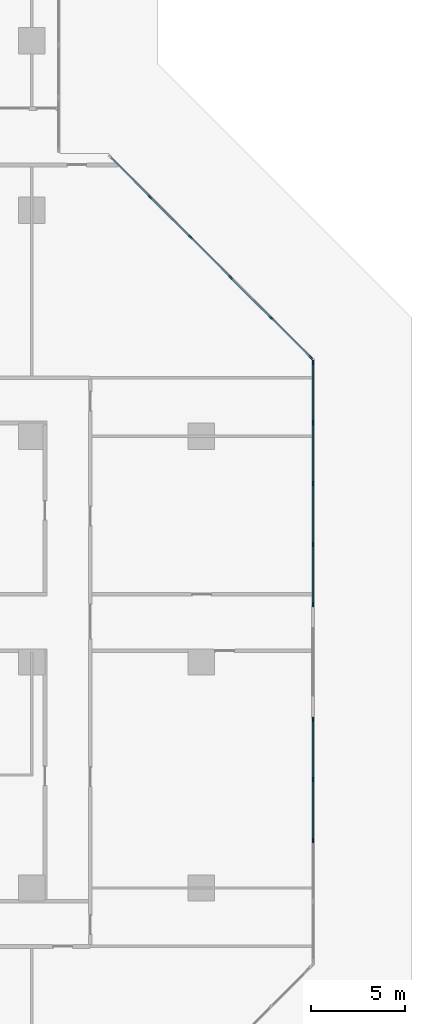
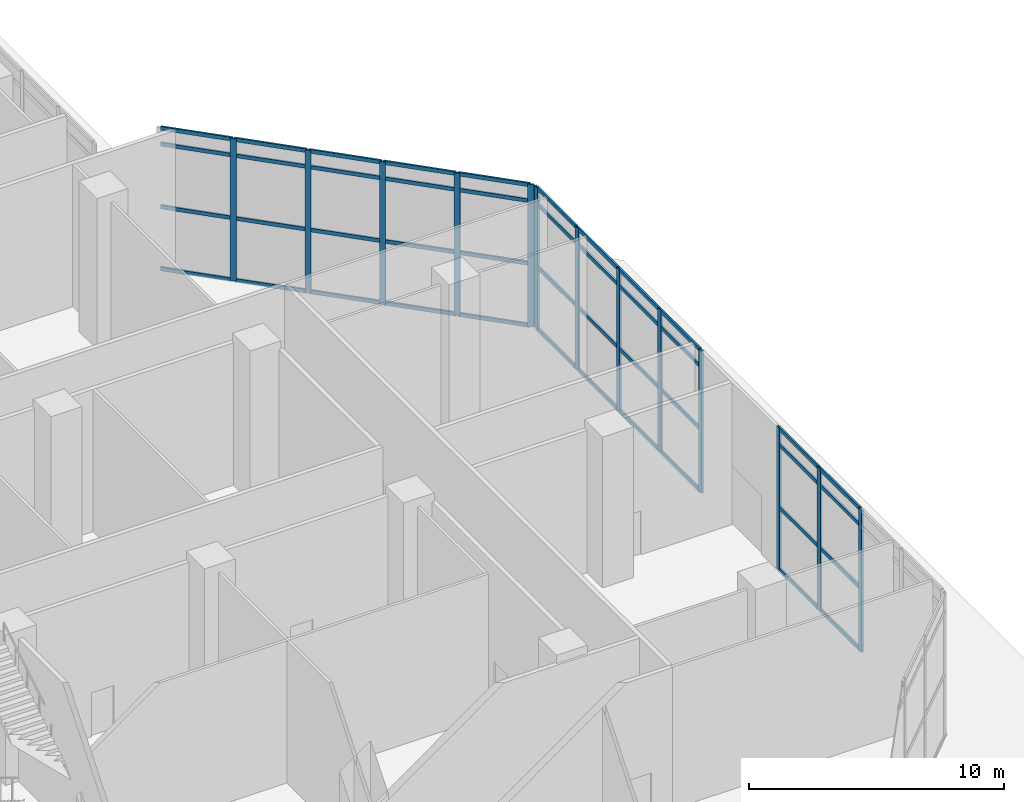
# One storey, part 7 of 34: 57 members, 3 elements without a shape of their own.
"""IFC4 building model written with IfcOpenShell, lengths in metres."""

from ifc_helpers import new_model, si_unit, direction, frame, origin, origin_2d, place, context, subcontext, project, spatial, rectangle, extrude, material, layer, layer_set, material_profile, profile_set, type_object, element, aggregate, save


model = new_model("IFC4")

# Units and contexts
model_context = context("Model", 3, precision=1e-05, world=origin(), true_north=direction((0.0, 1.0)))
body_context = subcontext(model_context, "Body", "Model", "MODEL_VIEW")
ifc_project = project(units=[si_unit("LENGTHUNIT", "METRE"), si_unit("AREAUNIT", "SQUARE_METRE"), si_unit("VOLUMEUNIT", "CUBIC_METRE"), si_unit("PLANEANGLEUNIT", "RADIAN"), si_unit("MASSUNIT", "GRAM", prefix="KILO")], contexts=[model_context])

# Site, building, storey
site_placement = place(None, origin())
site = spatial("IfcSite", under=ifc_project, at=site_placement, CompositionType="ELEMENT")
building_placement = place(site_placement, origin())
building = spatial("IfcBuilding", under=site, at=building_placement, Name="Chenar Terraces", CompositionType="ELEMENT")
storey_placement = place(building_placement, origin())
storey = spatial("IfcBuildingStorey", under=building, at=storey_placement, Name="L00", CompositionType="ELEMENT", Elevation=0.0)

# Curtain wall, members
ifc_material_1 = material(Name="Aluminium framed glazing", Category="aluminium")
ifc_layer = layer(ifc_material_1, 0.14990234375)
ifc_layer_set = layer_set([ifc_layer], Name="Aluminium framed glazing")
curtain_wall_type = type_object("IfcCurtainWallType", Name="Lobby curtain wall", PredefinedType="NOTDEFINED", material=ifc_layer_set)
placement = place(storey_placement, origin())
curtain_wall_1 = element("IfcCurtainWall", 1, at=placement, inside=storey, type_object=curtain_wall_type, Name="Lobby curtain wall", PredefinedType="NOTDEFINED")
ifc_material_2 = material(Name="Aluminium", Category="aluminium")
ifc_material_profile_1 = material_profile(ifc_material_2, rectangle(XDim=0.080078125, YDim=0.25, at=origin_2d()), Name="Lobby glazing mullion 80 x 250")
ifc_profile_set_1 = profile_set([ifc_material_profile_1], Name="Aluminium")
member_type_1 = type_object("IfcMemberType", Name="Lobby glazing mullion 80 x 250", PredefinedType="MULLION", material=ifc_profile_set_1)
member_1_placement = place(storey_placement, frame((86.925048828125, 2.522705078125, 0.0), z_axis=(0.0, 0.0, 1.0), x_axis=(-1.0, 0.0, 0.0)))
member_1 = element("IfcMember", 2, at=member_1_placement, type_object=member_type_1, Name="CW6-08a0 mullion 3", PredefinedType="MULLION", context=body_context, shape_type="SweptSolid", body=[
    extrude(rectangle(XDim=0.080078125, YDim=0.25, at=origin_2d()), origin(), (0.0, 0.0, 1.0), 6.800048828125),
])
member_2_placement = place(storey_placement, frame((86.925048828125, 5.755126953125, 0.0), z_axis=(0.0, 0.0, 1.0), x_axis=(-1.0, 0.0, 0.0)))
member_2 = element("IfcMember", 3, at=member_2_placement, type_object=member_type_1, Name="CW6-08a0 mullion 4", PredefinedType="MULLION", context=body_context, shape_type="SweptSolid", body=[
    extrude(rectangle(XDim=0.080078125, YDim=0.25, at=origin_2d()), origin(), (0.0, 0.0, 1.0), 6.800048828125),
])
member_3_placement = place(storey_placement, frame((86.925048828125, 8.947509765625, 0.0), z_axis=(0.0, 0.0, 1.0), x_axis=(-1.0, 0.0, 0.0)))
member_3 = element("IfcMember", 4, at=member_3_placement, type_object=member_type_1, Name="CW6-08a0 mullion 5", PredefinedType="MULLION", context=body_context, shape_type="SweptSolid", body=[
    extrude(rectangle(XDim=0.080078125, YDim=0.25, at=origin_2d()), origin(), (0.0, 0.0, 1.0), 6.800048828125),
])

curtain_wall_2 = element("IfcCurtainWall", 5, at=placement, inside=storey, type_object=curtain_wall_type, Name="Lobby curtain wall", PredefinedType="NOTDEFINED")
member_4_placement = place(storey_placement, frame((86.925048828125, 15.052490234375, 0.0), z_axis=(0.0, 0.0, 1.0), x_axis=(-1.0, 0.0, 0.0)))
member_4 = element("IfcMember", 6, at=member_4_placement, type_object=member_type_1, Name="CW6-08b0 mullion 1", PredefinedType="MULLION", context=body_context, shape_type="SweptSolid", body=[
    extrude(rectangle(XDim=0.080078125, YDim=0.25, at=origin_2d()), origin(), (0.0, 0.0, 1.0), 6.800048828125),
])
member_5_placement = place(storey_placement, frame((86.925048828125, 18.244873046875, 0.0), z_axis=(0.0, 0.0, 1.0), x_axis=(-1.0, 0.0, 0.0)))
member_5 = element("IfcMember", 7, at=member_5_placement, type_object=member_type_1, Name="CW6-08b0 mullion 2", PredefinedType="MULLION", context=body_context, shape_type="SweptSolid", body=[
    extrude(rectangle(XDim=0.080078125, YDim=0.25, at=origin_2d()), origin(), (0.0, 0.0, 1.0), 6.800048828125),
])
member_6_placement = place(storey_placement, frame((86.925048828125, 21.477294921875, 0.0), z_axis=(0.0, 0.0, 1.0), x_axis=(-1.0, 0.0, 0.0)))
member_6 = element("IfcMember", 8, at=member_6_placement, type_object=member_type_1, Name="CW6-08b0 mullion 3", PredefinedType="MULLION", context=body_context, shape_type="SweptSolid", body=[
    extrude(rectangle(XDim=0.080078125, YDim=0.25, at=origin_2d()), origin(), (0.0, 0.0, 1.0), 6.800048828125),
])
member_7_placement = place(storey_placement, frame((86.925048828125, 24.70947265625, 0.0), z_axis=(0.0, 0.0, 1.0), x_axis=(-1.0, 0.0, 0.0)))
member_7 = element("IfcMember", 9, at=member_7_placement, type_object=member_type_1, Name="CW6-08b0 mullion 4", PredefinedType="MULLION", context=body_context, shape_type="SweptSolid", body=[
    extrude(rectangle(XDim=0.080078125, YDim=0.25, at=origin_2d()), origin(), (0.0, 0.0, 1.0), 6.800048828125),
])
member_8_placement = place(storey_placement, frame((86.925048828125, 27.90185546875, 0.0), z_axis=(0.0, 0.0, 1.0), x_axis=(-1.0, 0.0, 0.0)))
member_8 = element("IfcMember", 10, at=member_8_placement, type_object=member_type_1, Name="CW6-08b0 mullion 5", PredefinedType="MULLION", context=body_context, shape_type="SweptSolid", body=[
    extrude(rectangle(XDim=0.080078125, YDim=0.25, at=origin_2d()), origin(), (0.0, 0.0, 1.0), 6.800048828125),
])

curtain_wall_3 = element("IfcCurtainWall", 11, at=placement, inside=storey, type_object=curtain_wall_type, Name="Lobby curtain wall", PredefinedType="NOTDEFINED")
member_9_placement = place(storey_placement, frame((86.8125, 28.173095703125, 0.0), z_axis=(0.0, 0.0, 1.0), x_axis=(-0.707106781187, -0.707106781187, 0.0)))
member_9 = element("IfcMember", 12, at=member_9_placement, type_object=member_type_1, Name="CW6-090 mullion 1", PredefinedType="MULLION", context=body_context, shape_type="SweptSolid", body=[
    extrude(rectangle(XDim=0.080078125, YDim=0.25, at=origin_2d()), origin(), (0.0, 0.0, 1.0), 6.800048828125),
])
member_10_placement = place(storey_placement, frame((84.70166015625, 30.2841796875, 0.0), z_axis=(0.0, 0.0, 1.0), x_axis=(-0.707106781187, -0.707106781187, 0.0)))
member_10 = element("IfcMember", 13, at=member_10_placement, type_object=member_type_1, Name="CW6-090 mullion 2", PredefinedType="MULLION", context=body_context, shape_type="SweptSolid", body=[
    extrude(rectangle(XDim=0.080078125, YDim=0.25, at=origin_2d()), origin(), (0.0, 0.0, 1.0), 6.800048828125),
])
member_11_placement = place(storey_placement, frame((82.5625, 32.42333984375, 0.0), z_axis=(0.0, 0.0, 1.0), x_axis=(-0.707106781187, -0.707106781187, 0.0)))
member_11 = element("IfcMember", 14, at=member_11_placement, type_object=member_type_1, Name="CW6-090 mullion 3", PredefinedType="MULLION", context=body_context, shape_type="SweptSolid", body=[
    extrude(rectangle(XDim=0.080078125, YDim=0.25, at=origin_2d()), origin(), (0.0, 0.0, 1.0), 6.800048828125),
])
member_12_placement = place(storey_placement, frame((80.42333984375, 34.5625, 0.0), z_axis=(0.0, 0.0, 1.0), x_axis=(-0.707106781187, -0.707106781187, 0.0)))
member_12 = element("IfcMember", 15, at=member_12_placement, type_object=member_type_1, Name="CW6-090 mullion 4", PredefinedType="MULLION", context=body_context, shape_type="SweptSolid", body=[
    extrude(rectangle(XDim=0.080078125, YDim=0.25, at=origin_2d()), origin(), (0.0, 0.0, 1.0), 6.800048828125),
])
member_13_placement = place(storey_placement, frame((78.2841796875, 36.70166015625, 0.0), z_axis=(0.0, 0.0, 1.0), x_axis=(-0.707106781187, -0.707106781187, 0.0)))
member_13 = element("IfcMember", 16, at=member_13_placement, type_object=member_type_1, Name="CW6-090 mullion 5", PredefinedType="MULLION", context=body_context, shape_type="SweptSolid", body=[
    extrude(rectangle(XDim=0.080078125, YDim=0.25, at=origin_2d()), origin(), (0.0, 0.0, 1.0), 6.800048828125),
])

# Member
ifc_material_3 = material(Name="Aluminium", Category="aluminium")
ifc_material_profile_2 = material_profile(ifc_material_3, rectangle(XDim=0.080078125, YDim=0.179931640625, at=origin_2d()), Name="Lobby glazing transom 80 x 180")
ifc_profile_set_2 = profile_set([ifc_material_profile_2], Name="Aluminium")
member_type_2 = type_object("IfcMemberType", Name="Lobby glazing transom 80 x 180", PredefinedType="USERDEFINED", material=ifc_profile_set_2)
member_14_placement = place(storey_placement, frame((86.925048828125, 2.562744140625, 0.0400390625), z_axis=(0.0, 1.0, 0.0), x_axis=(-1.0, 0.0, 0.0)))
member_14 = element("IfcMember", 17, at=member_14_placement, type_object=member_type_2, Name="CW6-08a0 transom 3.1", ObjectType="TRANSOM", PredefinedType="USERDEFINED", context=body_context, shape_type="SweptSolid", body=[
    extrude(rectangle(XDim=0.080078125, YDim=0.179931640625, at=origin_2d()), origin(), (0.0, 0.0, 1.0), 3.15234375),
])

member_15_placement = place(storey_placement, frame((86.925048828125, 2.562744140625, 3.0), z_axis=(0.0, 1.0, 0.0), x_axis=(-1.0, 0.0, 0.0)))
member_15 = element("IfcMember", 18, at=member_15_placement, type_object=member_type_2, Name="CW6-08a0 transom 3.2", ObjectType="TRANSOM", PredefinedType="USERDEFINED", context=body_context, shape_type="SweptSolid", body=[
    extrude(rectangle(XDim=0.080078125, YDim=0.179931640625, at=origin_2d()), origin(), (0.0, 0.0, 1.0), 3.15234375),
])

member_16_placement = place(storey_placement, frame((86.925048828125, 2.562744140625, 6.0), z_axis=(0.0, 1.0, 0.0), x_axis=(-1.0, 0.0, 0.0)))
member_16 = element("IfcMember", 19, at=member_16_placement, type_object=member_type_2, Name="CW6-08a0 transom 3.3", ObjectType="TRANSOM", PredefinedType="USERDEFINED", context=body_context, shape_type="SweptSolid", body=[
    extrude(rectangle(XDim=0.080078125, YDim=0.179931640625, at=origin_2d()), origin(), (0.0, 0.0, 1.0), 3.15234375),
])

member_17_placement = place(storey_placement, frame((86.925048828125, 2.562744140625, 6.760009765625), z_axis=(0.0, 1.0, 0.0), x_axis=(-1.0, 0.0, 0.0)))
member_17 = element("IfcMember", 20, at=member_17_placement, type_object=member_type_2, Name="CW6-08a0 transom 3.4", ObjectType="TRANSOM", PredefinedType="USERDEFINED", context=body_context, shape_type="SweptSolid", body=[
    extrude(rectangle(XDim=0.080078125, YDim=0.179931640625, at=origin_2d()), origin(), (0.0, 0.0, 1.0), 3.15234375),
])

member_18_placement = place(storey_placement, frame((86.925048828125, 5.795166015625, 0.0400390625), z_axis=(0.0, 1.0, 0.0), x_axis=(-1.0, 0.0, 0.0)))
member_18 = element("IfcMember", 21, at=member_18_placement, type_object=member_type_2, Name="CW6-08a0 transom 4.1", ObjectType="TRANSOM", PredefinedType="USERDEFINED", context=body_context, shape_type="SweptSolid", body=[
    extrude(rectangle(XDim=0.080078125, YDim=0.179931640625, at=origin_2d()), origin(), (0.0, 0.0, 1.0), 3.1123046875),
])

member_19_placement = place(storey_placement, frame((86.925048828125, 5.795166015625, 3.0), z_axis=(0.0, 1.0, 0.0), x_axis=(-1.0, 0.0, 0.0)))
member_19 = element("IfcMember", 22, at=member_19_placement, type_object=member_type_2, Name="CW6-08a0 transom 4.2", ObjectType="TRANSOM", PredefinedType="USERDEFINED", context=body_context, shape_type="SweptSolid", body=[
    extrude(rectangle(XDim=0.080078125, YDim=0.179931640625, at=origin_2d()), origin(), (0.0, 0.0, 1.0), 3.1123046875),
])

member_20_placement = place(storey_placement, frame((86.925048828125, 5.795166015625, 6.0), z_axis=(0.0, 1.0, 0.0), x_axis=(-1.0, 0.0, 0.0)))
member_20 = element("IfcMember", 23, at=member_20_placement, type_object=member_type_2, Name="CW6-08a0 transom 4.3", ObjectType="TRANSOM", PredefinedType="USERDEFINED", context=body_context, shape_type="SweptSolid", body=[
    extrude(rectangle(XDim=0.080078125, YDim=0.179931640625, at=origin_2d()), origin(), (0.0, 0.0, 1.0), 3.1123046875),
])

member_21_placement = place(storey_placement, frame((86.925048828125, 5.795166015625, 6.760009765625), z_axis=(0.0, 1.0, 0.0), x_axis=(-1.0, 0.0, 0.0)))
member_21 = element("IfcMember", 24, at=member_21_placement, type_object=member_type_2, Name="CW6-08a0 transom 4.4", ObjectType="TRANSOM", PredefinedType="USERDEFINED", context=body_context, shape_type="SweptSolid", body=[
    extrude(rectangle(XDim=0.080078125, YDim=0.179931640625, at=origin_2d()), origin(), (0.0, 0.0, 1.0), 3.1123046875),
])

aggregate(curtain_wall_1, [member_1, member_2, member_3, member_14, member_15, member_16, member_17, member_18, member_19, member_20, member_21])

member_22_placement = place(storey_placement, frame((86.925048828125, 15.092529296875, 0.0400390625), z_axis=(0.0, 1.0, 0.0), x_axis=(-1.0, 0.0, 0.0)))
member_22 = element("IfcMember", 25, at=member_22_placement, type_object=member_type_2, Name="CW6-08b0 transom 1.1", ObjectType="TRANSOM", PredefinedType="USERDEFINED", context=body_context, shape_type="SweptSolid", body=[
    extrude(rectangle(XDim=0.080078125, YDim=0.179931640625, at=origin_2d()), origin(), (0.0, 0.0, 1.0), 3.1123046875),
])

member_23_placement = place(storey_placement, frame((86.925048828125, 15.092529296875, 3.0), z_axis=(0.0, 1.0, 0.0), x_axis=(-1.0, 0.0, 0.0)))
member_23 = element("IfcMember", 26, at=member_23_placement, type_object=member_type_2, Name="CW6-08b0 transom 1.2", ObjectType="TRANSOM", PredefinedType="USERDEFINED", context=body_context, shape_type="SweptSolid", body=[
    extrude(rectangle(XDim=0.080078125, YDim=0.179931640625, at=origin_2d()), origin(), (0.0, 0.0, 1.0), 3.1123046875),
])

member_24_placement = place(storey_placement, frame((86.925048828125, 15.092529296875, 6.0), z_axis=(0.0, 1.0, 0.0), x_axis=(-1.0, 0.0, 0.0)))
member_24 = element("IfcMember", 27, at=member_24_placement, type_object=member_type_2, Name="CW6-08b0 transom 1.3", ObjectType="TRANSOM", PredefinedType="USERDEFINED", context=body_context, shape_type="SweptSolid", body=[
    extrude(rectangle(XDim=0.080078125, YDim=0.179931640625, at=origin_2d()), origin(), (0.0, 0.0, 1.0), 3.1123046875),
])

member_25_placement = place(storey_placement, frame((86.925048828125, 15.092529296875, 6.760009765625), z_axis=(0.0, 1.0, 0.0), x_axis=(-1.0, 0.0, 0.0)))
member_25 = element("IfcMember", 28, at=member_25_placement, type_object=member_type_2, Name="CW6-08b0 transom 1.4", ObjectType="TRANSOM", PredefinedType="USERDEFINED", context=body_context, shape_type="SweptSolid", body=[
    extrude(rectangle(XDim=0.080078125, YDim=0.179931640625, at=origin_2d()), origin(), (0.0, 0.0, 1.0), 3.1123046875),
])

member_26_placement = place(storey_placement, frame((86.925048828125, 18.284912109375, 0.0400390625), z_axis=(0.0, 1.0, 0.0), x_axis=(-1.0, 0.0, 0.0)))
member_26 = element("IfcMember", 29, at=member_26_placement, type_object=member_type_2, Name="CW6-08b0 transom 2.1", ObjectType="TRANSOM", PredefinedType="USERDEFINED", context=body_context, shape_type="SweptSolid", body=[
    extrude(rectangle(XDim=0.080078125, YDim=0.179931640625, at=origin_2d()), origin(), (0.0, 0.0, 1.0), 3.15234375),
])

member_27_placement = place(storey_placement, frame((86.925048828125, 18.284912109375, 3.0), z_axis=(0.0, 1.0, 0.0), x_axis=(-1.0, 0.0, 0.0)))
member_27 = element("IfcMember", 30, at=member_27_placement, type_object=member_type_2, Name="CW6-08b0 transom 2.2", ObjectType="TRANSOM", PredefinedType="USERDEFINED", context=body_context, shape_type="SweptSolid", body=[
    extrude(rectangle(XDim=0.080078125, YDim=0.179931640625, at=origin_2d()), origin(), (0.0, 0.0, 1.0), 3.15234375),
])

member_28_placement = place(storey_placement, frame((86.925048828125, 18.284912109375, 6.0), z_axis=(0.0, 1.0, 0.0), x_axis=(-1.0, 0.0, 0.0)))
member_28 = element("IfcMember", 31, at=member_28_placement, type_object=member_type_2, Name="CW6-08b0 transom 2.3", ObjectType="TRANSOM", PredefinedType="USERDEFINED", context=body_context, shape_type="SweptSolid", body=[
    extrude(rectangle(XDim=0.080078125, YDim=0.179931640625, at=origin_2d()), origin(), (0.0, 0.0, 1.0), 3.15234375),
])

member_29_placement = place(storey_placement, frame((86.925048828125, 18.284912109375, 6.760009765625), z_axis=(0.0, 1.0, 0.0), x_axis=(-1.0, 0.0, 0.0)))
member_29 = element("IfcMember", 32, at=member_29_placement, type_object=member_type_2, Name="CW6-08b0 transom 2.4", ObjectType="TRANSOM", PredefinedType="USERDEFINED", context=body_context, shape_type="SweptSolid", body=[
    extrude(rectangle(XDim=0.080078125, YDim=0.179931640625, at=origin_2d()), origin(), (0.0, 0.0, 1.0), 3.15234375),
])

member_30_placement = place(storey_placement, frame((86.925048828125, 21.51708984375, 0.0400390625), z_axis=(0.0, 1.0, 0.0), x_axis=(-1.0, 0.0, 0.0)))
member_30 = element("IfcMember", 33, at=member_30_placement, type_object=member_type_2, Name="CW6-08b0 transom 3.1", ObjectType="TRANSOM", PredefinedType="USERDEFINED", context=body_context, shape_type="SweptSolid", body=[
    extrude(rectangle(XDim=0.080078125, YDim=0.179931640625, at=origin_2d()), origin(), (0.0, 0.0, 1.0), 3.15234375),
])

member_31_placement = place(storey_placement, frame((86.925048828125, 21.51708984375, 3.0), z_axis=(0.0, 1.0, 0.0), x_axis=(-1.0, 0.0, 0.0)))
member_31 = element("IfcMember", 34, at=member_31_placement, type_object=member_type_2, Name="CW6-08b0 transom 3.2", ObjectType="TRANSOM", PredefinedType="USERDEFINED", context=body_context, shape_type="SweptSolid", body=[
    extrude(rectangle(XDim=0.080078125, YDim=0.179931640625, at=origin_2d()), origin(), (0.0, 0.0, 1.0), 3.15234375),
])

member_32_placement = place(storey_placement, frame((86.925048828125, 21.51708984375, 6.0), z_axis=(0.0, 1.0, 0.0), x_axis=(-1.0, 0.0, 0.0)))
member_32 = element("IfcMember", 35, at=member_32_placement, type_object=member_type_2, Name="CW6-08b0 transom 3.3", ObjectType="TRANSOM", PredefinedType="USERDEFINED", context=body_context, shape_type="SweptSolid", body=[
    extrude(rectangle(XDim=0.080078125, YDim=0.179931640625, at=origin_2d()), origin(), (0.0, 0.0, 1.0), 3.15234375),
])

member_33_placement = place(storey_placement, frame((86.925048828125, 21.51708984375, 6.760009765625), z_axis=(0.0, 1.0, 0.0), x_axis=(-1.0, 0.0, 0.0)))
member_33 = element("IfcMember", 36, at=member_33_placement, type_object=member_type_2, Name="CW6-08b0 transom 3.4", ObjectType="TRANSOM", PredefinedType="USERDEFINED", context=body_context, shape_type="SweptSolid", body=[
    extrude(rectangle(XDim=0.080078125, YDim=0.179931640625, at=origin_2d()), origin(), (0.0, 0.0, 1.0), 3.15234375),
])

member_34_placement = place(storey_placement, frame((86.925048828125, 24.74951171875, 0.0400390625), z_axis=(0.0, 1.0, 0.0), x_axis=(-1.0, 0.0, 0.0)))
member_34 = element("IfcMember", 37, at=member_34_placement, type_object=member_type_2, Name="CW6-08b0 transom 4.1", ObjectType="TRANSOM", PredefinedType="USERDEFINED", context=body_context, shape_type="SweptSolid", body=[
    extrude(rectangle(XDim=0.080078125, YDim=0.179931640625, at=origin_2d()), origin(), (0.0, 0.0, 1.0), 3.1123046875),
])

member_35_placement = place(storey_placement, frame((86.925048828125, 24.74951171875, 3.0), z_axis=(0.0, 1.0, 0.0), x_axis=(-1.0, 0.0, 0.0)))
member_35 = element("IfcMember", 38, at=member_35_placement, type_object=member_type_2, Name="CW6-08b0 transom 4.2", ObjectType="TRANSOM", PredefinedType="USERDEFINED", context=body_context, shape_type="SweptSolid", body=[
    extrude(rectangle(XDim=0.080078125, YDim=0.179931640625, at=origin_2d()), origin(), (0.0, 0.0, 1.0), 3.1123046875),
])

member_36_placement = place(storey_placement, frame((86.925048828125, 24.74951171875, 6.0), z_axis=(0.0, 1.0, 0.0), x_axis=(-1.0, 0.0, 0.0)))
member_36 = element("IfcMember", 39, at=member_36_placement, type_object=member_type_2, Name="CW6-08b0 transom 4.3", ObjectType="TRANSOM", PredefinedType="USERDEFINED", context=body_context, shape_type="SweptSolid", body=[
    extrude(rectangle(XDim=0.080078125, YDim=0.179931640625, at=origin_2d()), origin(), (0.0, 0.0, 1.0), 3.1123046875),
])

member_37_placement = place(storey_placement, frame((86.925048828125, 24.74951171875, 6.760009765625), z_axis=(0.0, 1.0, 0.0), x_axis=(-1.0, 0.0, 0.0)))
member_37 = element("IfcMember", 40, at=member_37_placement, type_object=member_type_2, Name="CW6-08b0 transom 4.4", ObjectType="TRANSOM", PredefinedType="USERDEFINED", context=body_context, shape_type="SweptSolid", body=[
    extrude(rectangle(XDim=0.080078125, YDim=0.179931640625, at=origin_2d()), origin(), (0.0, 0.0, 1.0), 3.1123046875),
])

aggregate(curtain_wall_2, [member_4, member_5, member_6, member_7, member_8, member_22, member_23, member_24, member_25, member_26, member_27, member_28, member_29, member_30, member_31, member_32, member_33, member_34, member_35, member_36, member_37])

member_38_placement = place(storey_placement, frame((86.784423828125, 28.201416015625, 0.0400390625), z_axis=(-0.707106781187, 0.707106781187, 0.0), x_axis=(-0.707106781187, -0.707106781187, 0.0)))
member_38 = element("IfcMember", 41, at=member_38_placement, type_object=member_type_2, Name="CW6-090 transom 1.1", ObjectType="TRANSOM", PredefinedType="USERDEFINED", context=body_context, shape_type="SweptSolid", body=[
    extrude(rectangle(XDim=0.080078125, YDim=0.179931640625, at=origin_2d()), origin(), (0.0, 0.0, 1.0), 2.905517578125),
])

member_39_placement = place(storey_placement, frame((86.784423828125, 28.201416015625, 3.0), z_axis=(-0.707106781187, 0.707106781187, 0.0), x_axis=(-0.707106781187, -0.707106781187, 0.0)))
member_39 = element("IfcMember", 42, at=member_39_placement, type_object=member_type_2, Name="CW6-090 transom 1.2", ObjectType="TRANSOM", PredefinedType="USERDEFINED", context=body_context, shape_type="SweptSolid", body=[
    extrude(rectangle(XDim=0.080078125, YDim=0.179931640625, at=origin_2d()), origin(), (0.0, 0.0, 1.0), 2.905517578125),
])

member_40_placement = place(storey_placement, frame((86.784423828125, 28.201416015625, 6.0), z_axis=(-0.707106781187, 0.707106781187, 0.0), x_axis=(-0.707106781187, -0.707106781187, 0.0)))
member_40 = element("IfcMember", 43, at=member_40_placement, type_object=member_type_2, Name="CW6-090 transom 1.3", ObjectType="TRANSOM", PredefinedType="USERDEFINED", context=body_context, shape_type="SweptSolid", body=[
    extrude(rectangle(XDim=0.080078125, YDim=0.179931640625, at=origin_2d()), origin(), (0.0, 0.0, 1.0), 2.905517578125),
])

member_41_placement = place(storey_placement, frame((86.784423828125, 28.201416015625, 6.760009765625), z_axis=(-0.707106781187, 0.707106781187, 0.0), x_axis=(-0.707106781187, -0.707106781187, 0.0)))
member_41 = element("IfcMember", 44, at=member_41_placement, type_object=member_type_2, Name="CW6-090 transom 1.4", ObjectType="TRANSOM", PredefinedType="USERDEFINED", context=body_context, shape_type="SweptSolid", body=[
    extrude(rectangle(XDim=0.080078125, YDim=0.179931640625, at=origin_2d()), origin(), (0.0, 0.0, 1.0), 2.905517578125),
])

member_42_placement = place(storey_placement, frame((84.67333984375, 30.3125, 0.0400390625), z_axis=(-0.707106781187, 0.707106781187, 0.0), x_axis=(-0.707106781187, -0.707106781187, 0.0)))
member_42 = element("IfcMember", 45, at=member_42_placement, type_object=member_type_2, Name="CW6-090 transom 2.1", ObjectType="TRANSOM", PredefinedType="USERDEFINED", context=body_context, shape_type="SweptSolid", body=[
    extrude(rectangle(XDim=0.080078125, YDim=0.179931640625, at=origin_2d()), origin(), (0.0, 0.0, 1.0), 2.945068359375),
])

member_43_placement = place(storey_placement, frame((84.67333984375, 30.3125, 3.0), z_axis=(-0.707106781187, 0.707106781187, 0.0), x_axis=(-0.707106781187, -0.707106781187, 0.0)))
member_43 = element("IfcMember", 46, at=member_43_placement, type_object=member_type_2, Name="CW6-090 transom 2.2", ObjectType="TRANSOM", PredefinedType="USERDEFINED", context=body_context, shape_type="SweptSolid", body=[
    extrude(rectangle(XDim=0.080078125, YDim=0.179931640625, at=origin_2d()), origin(), (0.0, 0.0, 1.0), 2.945068359375),
])

member_44_placement = place(storey_placement, frame((84.67333984375, 30.3125, 6.0), z_axis=(-0.707106781187, 0.707106781187, 0.0), x_axis=(-0.707106781187, -0.707106781187, 0.0)))
member_44 = element("IfcMember", 47, at=member_44_placement, type_object=member_type_2, Name="CW6-090 transom 2.3", ObjectType="TRANSOM", PredefinedType="USERDEFINED", context=body_context, shape_type="SweptSolid", body=[
    extrude(rectangle(XDim=0.080078125, YDim=0.179931640625, at=origin_2d()), origin(), (0.0, 0.0, 1.0), 2.945068359375),
])

member_45_placement = place(storey_placement, frame((84.67333984375, 30.3125, 6.760009765625), z_axis=(-0.707106781187, 0.707106781187, 0.0), x_axis=(-0.707106781187, -0.707106781187, 0.0)))
member_45 = element("IfcMember", 48, at=member_45_placement, type_object=member_type_2, Name="CW6-090 transom 2.4", ObjectType="TRANSOM", PredefinedType="USERDEFINED", context=body_context, shape_type="SweptSolid", body=[
    extrude(rectangle(XDim=0.080078125, YDim=0.179931640625, at=origin_2d()), origin(), (0.0, 0.0, 1.0), 2.945068359375),
])

member_46_placement = place(storey_placement, frame((82.5341796875, 32.45166015625, 0.0400390625), z_axis=(-0.707106781187, 0.707106781187, 0.0), x_axis=(-0.707106781187, -0.707106781187, 0.0)))
member_46 = element("IfcMember", 49, at=member_46_placement, type_object=member_type_2, Name="CW6-090 transom 3.1", ObjectType="TRANSOM", PredefinedType="USERDEFINED", context=body_context, shape_type="SweptSolid", body=[
    extrude(rectangle(XDim=0.080078125, YDim=0.179931640625, at=origin_2d()), origin(), (0.0, 0.0, 1.0), 2.945068359375),
])

member_47_placement = place(storey_placement, frame((82.5341796875, 32.45166015625, 3.0), z_axis=(-0.707106781187, 0.707106781187, 0.0), x_axis=(-0.707106781187, -0.707106781187, 0.0)))
member_47 = element("IfcMember", 50, at=member_47_placement, type_object=member_type_2, Name="CW6-090 transom 3.2", ObjectType="TRANSOM", PredefinedType="USERDEFINED", context=body_context, shape_type="SweptSolid", body=[
    extrude(rectangle(XDim=0.080078125, YDim=0.179931640625, at=origin_2d()), origin(), (0.0, 0.0, 1.0), 2.945068359375),
])

member_48_placement = place(storey_placement, frame((82.5341796875, 32.45166015625, 6.0), z_axis=(-0.707106781187, 0.707106781187, 0.0), x_axis=(-0.707106781187, -0.707106781187, 0.0)))
member_48 = element("IfcMember", 51, at=member_48_placement, type_object=member_type_2, Name="CW6-090 transom 3.3", ObjectType="TRANSOM", PredefinedType="USERDEFINED", context=body_context, shape_type="SweptSolid", body=[
    extrude(rectangle(XDim=0.080078125, YDim=0.179931640625, at=origin_2d()), origin(), (0.0, 0.0, 1.0), 2.945068359375),
])

member_49_placement = place(storey_placement, frame((82.5341796875, 32.45166015625, 6.760009765625), z_axis=(-0.707106781187, 0.707106781187, 0.0), x_axis=(-0.707106781187, -0.707106781187, 0.0)))
member_49 = element("IfcMember", 52, at=member_49_placement, type_object=member_type_2, Name="CW6-090 transom 3.4", ObjectType="TRANSOM", PredefinedType="USERDEFINED", context=body_context, shape_type="SweptSolid", body=[
    extrude(rectangle(XDim=0.080078125, YDim=0.179931640625, at=origin_2d()), origin(), (0.0, 0.0, 1.0), 2.945068359375),
])

member_50_placement = place(storey_placement, frame((80.39501953125, 34.5908203125, 0.0400390625), z_axis=(-0.707106781187, 0.707106781187, 0.0), x_axis=(-0.707106781187, -0.707106781187, 0.0)))
member_50 = element("IfcMember", 53, at=member_50_placement, type_object=member_type_2, Name="CW6-090 transom 4.1", ObjectType="TRANSOM", PredefinedType="USERDEFINED", context=body_context, shape_type="SweptSolid", body=[
    extrude(rectangle(XDim=0.080078125, YDim=0.179931640625, at=origin_2d()), origin(), (0.0, 0.0, 1.0), 2.945068359375),
])

member_51_placement = place(storey_placement, frame((80.39501953125, 34.5908203125, 3.0), z_axis=(-0.707106781187, 0.707106781187, 0.0), x_axis=(-0.707106781187, -0.707106781187, 0.0)))
member_51 = element("IfcMember", 54, at=member_51_placement, type_object=member_type_2, Name="CW6-090 transom 4.2", ObjectType="TRANSOM", PredefinedType="USERDEFINED", context=body_context, shape_type="SweptSolid", body=[
    extrude(rectangle(XDim=0.080078125, YDim=0.179931640625, at=origin_2d()), origin(), (0.0, 0.0, 1.0), 2.945068359375),
])

member_52_placement = place(storey_placement, frame((80.39501953125, 34.5908203125, 6.0), z_axis=(-0.707106781187, 0.707106781187, 0.0), x_axis=(-0.707106781187, -0.707106781187, 0.0)))
member_52 = element("IfcMember", 55, at=member_52_placement, type_object=member_type_2, Name="CW6-090 transom 4.3", ObjectType="TRANSOM", PredefinedType="USERDEFINED", context=body_context, shape_type="SweptSolid", body=[
    extrude(rectangle(XDim=0.080078125, YDim=0.179931640625, at=origin_2d()), origin(), (0.0, 0.0, 1.0), 2.945068359375),
])

member_53_placement = place(storey_placement, frame((80.39501953125, 34.5908203125, 6.760009765625), z_axis=(-0.707106781187, 0.707106781187, 0.0), x_axis=(-0.707106781187, -0.707106781187, 0.0)))
member_53 = element("IfcMember", 56, at=member_53_placement, type_object=member_type_2, Name="CW6-090 transom 4.4", ObjectType="TRANSOM", PredefinedType="USERDEFINED", context=body_context, shape_type="SweptSolid", body=[
    extrude(rectangle(XDim=0.080078125, YDim=0.179931640625, at=origin_2d()), origin(), (0.0, 0.0, 1.0), 2.945068359375),
])

member_54_placement = place(storey_placement, frame((78.255859375, 36.72998046875, 0.0400390625), z_axis=(-0.707106781187, 0.707106781187, 0.0), x_axis=(-0.707106781187, -0.707106781187, 0.0)))
member_54 = element("IfcMember", 57, at=member_54_placement, type_object=member_type_2, Name="CW6-090 transom 5.1", ObjectType="TRANSOM", PredefinedType="USERDEFINED", context=body_context, shape_type="SweptSolid", body=[
    extrude(rectangle(XDim=0.080078125, YDim=0.179931640625, at=origin_2d()), origin(), (0.0, 0.0, 1.0), 2.905517578125),
])

member_55_placement = place(storey_placement, frame((78.255859375, 36.72998046875, 3.0), z_axis=(-0.707106781187, 0.707106781187, 0.0), x_axis=(-0.707106781187, -0.707106781187, 0.0)))
member_55 = element("IfcMember", 58, at=member_55_placement, type_object=member_type_2, Name="CW6-090 transom 5.2", ObjectType="TRANSOM", PredefinedType="USERDEFINED", context=body_context, shape_type="SweptSolid", body=[
    extrude(rectangle(XDim=0.080078125, YDim=0.179931640625, at=origin_2d()), origin(), (0.0, 0.0, 1.0), 2.905517578125),
])

member_56_placement = place(storey_placement, frame((78.255859375, 36.72998046875, 6.0), z_axis=(-0.707106781187, 0.707106781187, 0.0), x_axis=(-0.707106781187, -0.707106781187, 0.0)))
member_56 = element("IfcMember", 59, at=member_56_placement, type_object=member_type_2, Name="CW6-090 transom 5.3", ObjectType="TRANSOM", PredefinedType="USERDEFINED", context=body_context, shape_type="SweptSolid", body=[
    extrude(rectangle(XDim=0.080078125, YDim=0.179931640625, at=origin_2d()), origin(), (0.0, 0.0, 1.0), 2.905517578125),
])

member_57_placement = place(storey_placement, frame((78.255859375, 36.72998046875, 6.760009765625), z_axis=(-0.707106781187, 0.707106781187, 0.0), x_axis=(-0.707106781187, -0.707106781187, 0.0)))
member_57 = element("IfcMember", 60, at=member_57_placement, type_object=member_type_2, Name="CW6-090 transom 5.4", ObjectType="TRANSOM", PredefinedType="USERDEFINED", context=body_context, shape_type="SweptSolid", body=[
    extrude(rectangle(XDim=0.080078125, YDim=0.179931640625, at=origin_2d()), origin(), (0.0, 0.0, 1.0), 2.905517578125),
])

aggregate(curtain_wall_3, [member_9, member_10, member_11, member_12, member_13, member_38, member_39, member_40, member_41, member_42, member_43, member_44, member_45, member_46, member_47, member_48, member_49, member_50, member_51, member_52, member_53, member_54, member_55, member_56, member_57])

save(model, "model.ifc")
